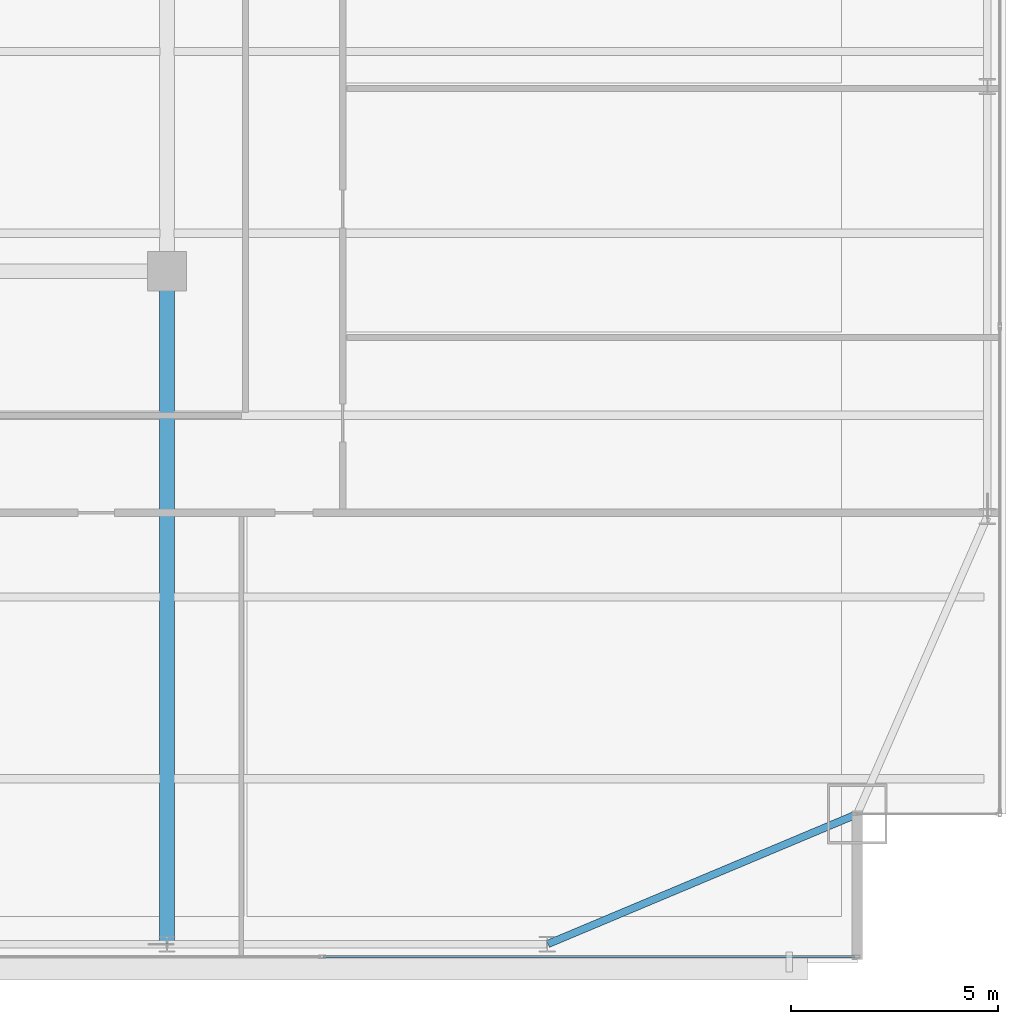
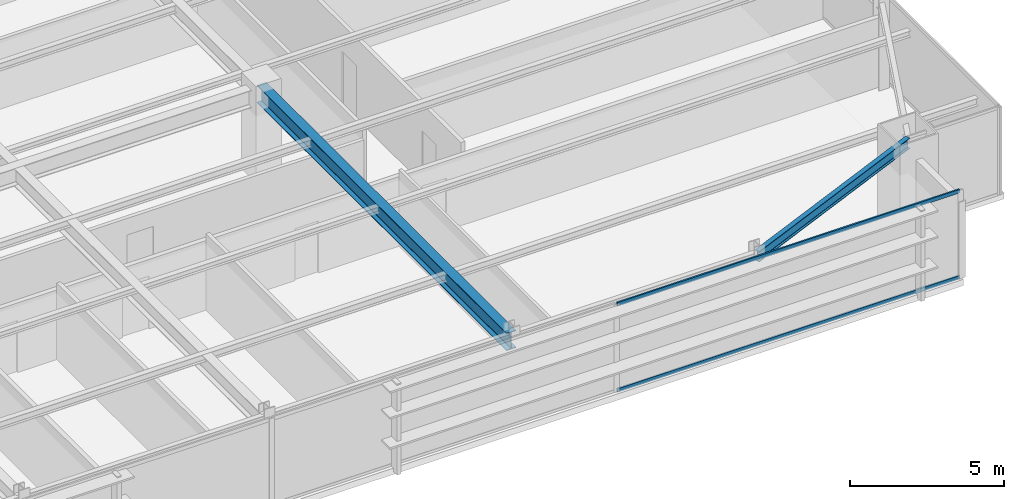
# One storey, part 13 of 33: 2 beams, 2 members, 1 element without a shape of its own.
"""IFC4 building model written with IfcOpenShell, lengths in metres."""

from ifc_helpers import new_model, si_unit, direction, frame, origin, origin_2d, place, context, subcontext, project, spatial, hollow_rectangle, i_section, extrude, source, transform, mapped, material, layer, layer_set, material_profile, profile_set, type_object, type_shapes, element, aggregate, save


model = new_model("IFC4")

# Units and contexts
model_context = context("Model", 3, precision=1e-05, world=origin(), true_north=direction((0.0, 1.0)))
body_context = subcontext(model_context, "Body", "Model", "MODEL_VIEW")
ifc_project = project(units=[si_unit("LENGTHUNIT", "METRE"), si_unit("AREAUNIT", "SQUARE_METRE"), si_unit("VOLUMEUNIT", "CUBIC_METRE"), si_unit("PLANEANGLEUNIT", "RADIAN"), si_unit("MASSUNIT", "GRAM", prefix="KILO")], contexts=[model_context])

# Site, building, storey
site_placement = place(None, origin())
site = spatial("IfcSite", under=ifc_project, at=site_placement, CompositionType="ELEMENT")
building_placement = place(site_placement, origin())
building = spatial("IfcBuilding", under=site, at=building_placement, Name="Varnel Quay Broadcast Tower", CompositionType="ELEMENT")
storey_placement = place(building_placement, frame((0.0, 0.0, 137.199951171875)))
storey = spatial("IfcBuildingStorey", under=building, at=storey_placement, Name="L33", CompositionType="ELEMENT", Elevation=137.199951171875)

# Beams
ifc_material_1 = material(Name="Structural Steel CSA G40.21 350W", Category="steel")
ifc_material_profile_1 = material_profile(ifc_material_1, i_section(OverallWidth=0.180908203125, OverallDepth=0.4169921875, WebThickness=0.010986328125, FlangeThickness=0.018310546875, FilletRadius=0.011962890625, at=origin_2d()), Name="W410X85")
ifc_profile_set_1 = profile_set([ifc_material_profile_1], Name="Structural Steel CSA G40.21 350W")
beam_type_1 = type_object("IfcBeamType", Name="Beam_W410X85", PredefinedType="SPANDREL", material=ifc_profile_set_1)
shared_shape_1 = source(origin(), body_context, "Body", "SweptSolid", [
    extrude(i_section(OverallWidth=0.180908203125, OverallDepth=0.4169921875, WebThickness=0.010986328125, FlangeThickness=0.018310546875, FilletRadius=0.011962890625, at=origin_2d()), origin(), (0.0, 0.0, 1.0), 8.0947265625),
])
type_shapes(beam_type_1, [shared_shape_1])
beam_1_placement = place(storey_placement, frame((52.41845703125, 4.65771484375, 3.271484375), z_axis=(0.921981890247, 0.387232997117, 0.0), x_axis=(-0.387232997117, 0.921981890247, 0.0)))
element("IfcBeam", 1, at=beam_1_placement, inside=storey, type_object=beam_type_1, Name="L33 South Spandrel TC-S5-MC-SE", PredefinedType="SPANDREL", context=body_context, shape_type="MappedRepresentation", body=[
    mapped(shared_shape_1, transform((0.0, 0.0, 0.0), x_axis=(1.0, 0.0, 0.0), y_axis=(0.0, 1.0, 0.0), z_axis=(0.0, 0.0, 1.0), scale=1.0)),
])
ifc_material_profile_2 = material_profile(ifc_material_1, i_section(OverallWidth=0.35498046875, OverallDepth=0.695068359375, WebThickness=0.015380859375, FlangeThickness=0.02490234375, FilletRadius=0.01806640625, at=origin_2d()), Name="W690X217")
ifc_profile_set_2 = profile_set([ifc_material_profile_2], Name="Structural Steel CSA G40.21 350W")
beam_type_2 = type_object("IfcBeamType", Name="Girder_W690X217", PredefinedType="BEAM", material=ifc_profile_set_2)
shared_shape_2 = source(origin(), body_context, "Body", "SweptSolid", [
    extrude(i_section(OverallWidth=0.35498046875, OverallDepth=0.695068359375, WebThickness=0.015380859375, FlangeThickness=0.02490234375, FilletRadius=0.01806640625, at=origin_2d()), origin(), (0.0, 0.0, 1.0), 16.239990234375),
])
type_shapes(beam_type_2, [shared_shape_2])
beam_2_placement = place(storey_placement, frame((43.199951171875, 4.669921875, 3.132568359375), z_axis=(0.0, 1.0, 0.0), x_axis=(-1.0, 0.0, 0.0)))
element("IfcBeam", 2, at=beam_2_placement, inside=storey, type_object=beam_type_2, Name="L33 Primary Girder TC-S4-IC-02", PredefinedType="BEAM", context=body_context, shape_type="MappedRepresentation", body=[
    mapped(shared_shape_2, transform((0.0, 0.0, 0.0), x_axis=(1.0, 0.0, 0.0), y_axis=(0.0, 1.0, 0.0), z_axis=(0.0, 0.0, 1.0), scale=1.0)),
])

# Curtain wall, members
ifc_material_2 = material(Name="Anodised Bronze Aluminium 6063-T6", Category="aluminium")
ifc_layer = layer(ifc_material_2, 0.18994140625, Name="Anodised Bronze Aluminium 6063-T6")
ifc_layer_set = layer_set([ifc_layer], Name="Anodised Bronze Aluminium 6063-T6")
curtain_wall_type = type_object("IfcCurtainWallType", Name="CW_LowerTower", PredefinedType="NOTDEFINED", material=ifc_layer_set)
curtain_wall_placement = place(storey_placement, origin())
curtain_wall = element("IfcCurtainWall", 3, at=curtain_wall_placement, inside=storey, type_object=curtain_wall_type, Name="L33 South Unitised Curtain Wall 1", PredefinedType="NOTDEFINED")
ifc_material_profile_3 = material_profile(ifc_material_2, hollow_rectangle(XDim=0.06005859375, YDim=0.14501953125, WallThickness=0.00341796875, at=origin_2d()), Name="ALU60X145X3.5")
ifc_profile_set_3 = profile_set([ifc_material_profile_3], Name="Anodised Bronze Aluminium 6063-T6")
member_type = type_object("IfcMemberType", Name="Tran_CWS-02", PredefinedType="USERDEFINED", material=ifc_profile_set_3)
shared_shape_3 = source(origin(), body_context, "Body", "SweptSolid", [
    extrude(hollow_rectangle(XDim=0.06005859375, YDim=0.14501953125, WallThickness=0.00341796875, at=origin_2d()), origin(), (0.0, 0.0, 1.0), 12.844970703125),
])
type_shapes(member_type, [shared_shape_3])
member_1_placement = place(storey_placement, frame((46.985107421875, 4.35009765625, 0.030029296875), z_axis=(1.0, 0.0, 0.0), x_axis=(0.0, 1.0, 0.0)))
member_1 = element("IfcMember", 4, at=member_1_placement, type_object=member_type, Name="CWS-02 transom 4.1", ObjectType="TRANSOM", PredefinedType="USERDEFINED", context=body_context, shape_type="MappedRepresentation", body=[
    mapped(shared_shape_3, transform((0.0, 0.0, 0.0), x_axis=(1.0, 0.0, 0.0), y_axis=(0.0, 1.0, 0.0), z_axis=(0.0, 0.0, 1.0), scale=1.0)),
])
member_2_placement = place(storey_placement, frame((46.985107421875, 4.35009765625, 3.449951171875), z_axis=(1.0, 0.0, 0.0), x_axis=(0.0, 1.0, 0.0)))
member_2 = element("IfcMember", 5, at=member_2_placement, type_object=member_type, Name="CWS-02 transom 4.2", ObjectType="TRANSOM", PredefinedType="USERDEFINED", context=body_context, shape_type="MappedRepresentation", body=[
    mapped(shared_shape_3, transform((0.0, 0.0, 0.0), x_axis=(1.0, 0.0, 0.0), y_axis=(0.0, 1.0, 0.0), z_axis=(0.0, 0.0, 1.0), scale=1.0)),
])
aggregate(curtain_wall, [member_1, member_2])

save(model, "model.ifc")
